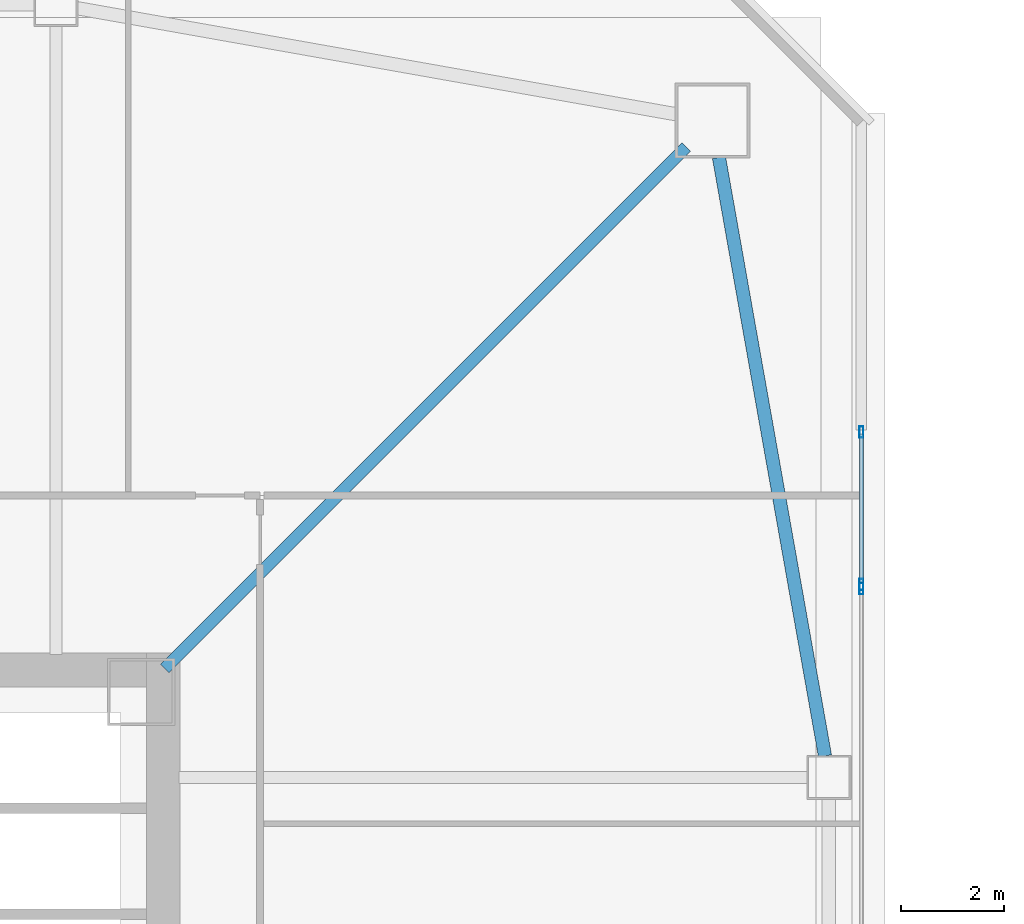
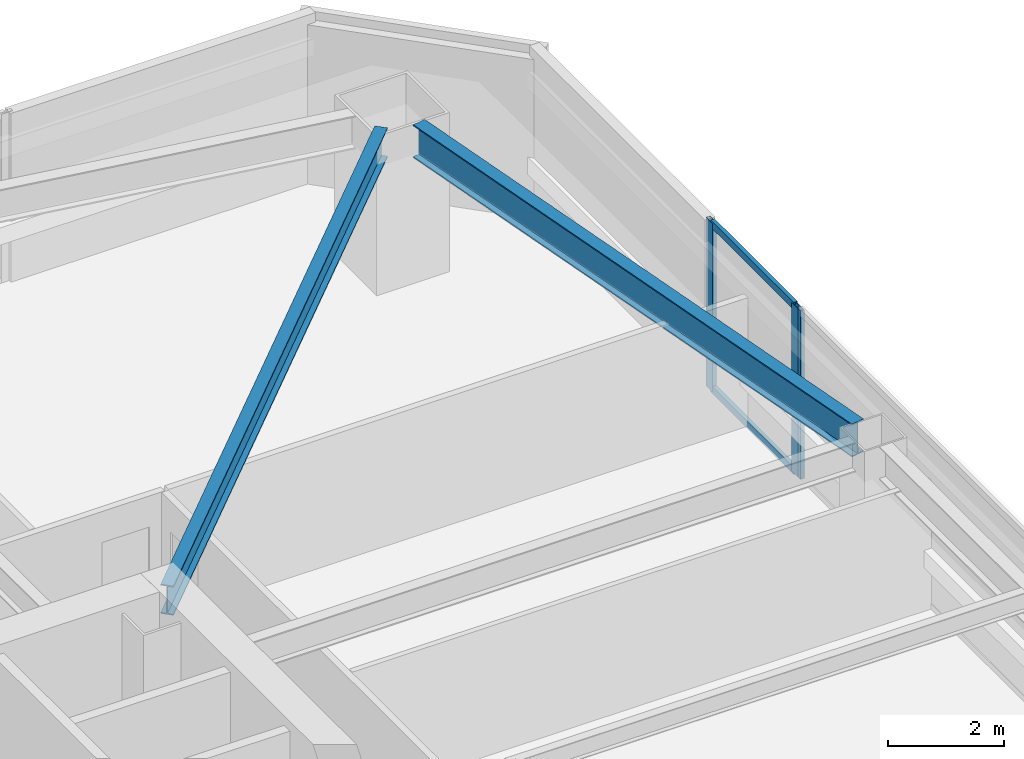
# One storey, part 16 of 44: 5 members, 2 beams, 2 elements without a shape of their own.
"""IFC4 building model written with IfcOpenShell, lengths in metres."""

from ifc_helpers import new_model, si_unit, direction, frame, origin, origin_2d, place, context, subcontext, project, spatial, hollow_rectangle, i_section, extrude, material, material_profile, profile_set, type_object, element, aggregate, save


model = new_model("IFC4")

# Units and contexts
model_context = context("Model", 3, precision=1e-05, world=origin(), true_north=direction((0.0, 1.0)))
body_context = subcontext(model_context, "Body", "Model", "MODEL_VIEW")
ifc_project = project(units=[si_unit("LENGTHUNIT", "METRE"), si_unit("AREAUNIT", "SQUARE_METRE"), si_unit("VOLUMEUNIT", "CUBIC_METRE"), si_unit("PLANEANGLEUNIT", "RADIAN"), si_unit("MASSUNIT", "GRAM", prefix="KILO")], contexts=[model_context])

# Site, building, storey
site_placement = place(None, origin())
site = spatial("IfcSite", under=ifc_project, at=site_placement, CompositionType="ELEMENT")
building_placement = place(site_placement, origin())
building = spatial("IfcBuilding", under=site, at=building_placement, Name="Tashvorn Skyway Center", CompositionType="ELEMENT")
storey_placement = place(building_placement, frame((0.0, 0.0, 74.300048828125)))
storey = spatial("IfcBuildingStorey", under=building, at=storey_placement, Name="L19", CompositionType="ELEMENT", Elevation=74.300048828125)

# Beams
ifc_material_1 = material(Name="Steel ASTM A992 Grade 50", Category="steel")
ifc_material_profile_1 = material_profile(ifc_material_1, i_section(OverallWidth=0.22998046875, OverallDepth=0.616943359375, WebThickness=0.01318359375, FlangeThickness=0.022216796875, at=origin_2d()), Name="W24X94")
ifc_profile_set_1 = profile_set([ifc_material_profile_1], Name="Steel ASTM A992 Grade 50")
beam_type_1 = type_object("IfcBeamType", Name="BM-BEAM-W24X94", PredefinedType="BEAM", material=ifc_profile_set_1)
beam_1_placement = place(storey_placement, frame((59.5908203125, 49.5908203125, 3.04150390625), z_axis=(-0.707106781187, -0.707106781187, 0.0), x_axis=(0.707106781187, -0.707106781187, 0.0)))
element("IfcBeam", 1, at=beam_1_placement, inside=storey, type_object=beam_type_1, Name="Tower 1 L19 Primary Floor Girder MC-NE", PredefinedType="BEAM", context=body_context, shape_type="SweptSolid", body=[
    extrude(i_section(OverallWidth=0.22998046875, OverallDepth=0.616943359375, WebThickness=0.01318359375, FlangeThickness=0.022216796875, at=origin_2d()), origin(), (0.0, 0.0, 1.0), 14.261962890625),
])
ifc_material_profile_2 = material_profile(ifc_material_1, i_section(OverallWidth=0.256103515625, OverallDepth=0.693115234375, WebThickness=0.014404296875, FlangeThickness=0.023681640625, at=origin_2d()), Name="W27X114")
ifc_profile_set_2 = profile_set([ifc_material_profile_2], Name="Steel ASTM A992 Grade 50")
beam_type_2 = type_object("IfcBeamType", Name="BM-SPANDREL-W27X114", PredefinedType="SPANDREL", material=ifc_profile_set_2)
beam_2_placement = place(storey_placement, frame((62.276611328125, 37.8134765625, 3.00341796875), z_axis=(-0.174437966698, 0.98466816531, 0.0), x_axis=(-0.98466816531, -0.174437966698, 0.0)))
element("IfcBeam", 2, at=beam_2_placement, inside=storey, type_object=beam_type_2, Name="Tower 1 L19 Spandrel Beam 06", PredefinedType="SPANDREL", context=body_context, shape_type="SweptSolid", body=[
    extrude(i_section(OverallWidth=0.256103515625, OverallDepth=0.693115234375, WebThickness=0.014404296875, FlangeThickness=0.023681640625, at=origin_2d()), origin(), (0.0, 0.0, 1.0), 11.7578125),
])

# Curtain wall, members
ifc_material_2 = material(Name="Thermally broken bronze-anodized aluminium 6063-T6", Category="aluminium")
curtain_wall_type = type_object("IfcCurtainWallType", Name="CW-CW-Z2", PredefinedType="NOTDEFINED", material=ifc_material_2)
curtain_wall_1_placement = place(storey_placement, origin())
curtain_wall_1 = element("IfcCurtainWall", 3, at=curtain_wall_1_placement, inside=storey, type_object=curtain_wall_type, Name="Tower 1 L19 East Unitised Curtain Wall Glazing Group 1", PredefinedType="NOTDEFINED")
ifc_material_profile_3 = material_profile(ifc_material_2, hollow_rectangle(XDim=0.080078125, YDim=0.219970703125, WallThickness=0.0048828125, at=origin_2d()), Name="ALU-MULL-80x220")
ifc_profile_set_3 = profile_set([ifc_material_profile_3], Name="Thermally broken bronze-anodized aluminium 6063-T6")
member_type_1 = type_object("IfcMemberType", Name="CWM-CW-Z2", PredefinedType="MULLION", material=ifc_profile_set_3)
member_1_placement = place(storey_placement, frame((62.97998046875, 44.080078125, 0.0), z_axis=(0.0, 0.0, 1.0), x_axis=(1.0, 0.0, 0.0)))
member_1 = element("IfcMember", 4, at=member_1_placement, type_object=member_type_1, Name="CW-Z2 mullion 1", PredefinedType="MULLION", context=body_context, shape_type="SweptSolid", body=[
    extrude(hollow_rectangle(XDim=0.080078125, YDim=0.219970703125, WallThickness=0.0048828125, at=origin_2d()), origin(), (0.0, 0.0, 1.0), 3.550048828125),
])
member_2_placement = place(storey_placement, frame((62.97998046875, 41.1298828125, 0.0), z_axis=(0.0, 0.0, 1.0), x_axis=(1.0, 0.0, 0.0)))
member_2 = element("IfcMember", 5, at=member_2_placement, type_object=member_type_1, Name="CW-Z2 mullion 2", PredefinedType="MULLION", context=body_context, shape_type="SweptSolid", body=[
    extrude(hollow_rectangle(XDim=0.080078125, YDim=0.219970703125, WallThickness=0.0048828125, at=origin_2d()), origin(), (0.0, 0.0, 1.0), 3.550048828125),
])

# Curtain wall, member
curtain_wall_2_placement = place(storey_placement, origin())
curtain_wall_2 = element("IfcCurtainWall", 6, at=curtain_wall_2_placement, inside=storey, type_object=curtain_wall_type, Name="Tower 1 L19 East Unitised Curtain Wall Glazing Group 2", PredefinedType="NOTDEFINED")
member_3_placement = place(storey_placement, frame((62.97998046875, 41.050048828125, 0.0), z_axis=(0.0, 0.0, 1.0), x_axis=(1.0, 0.0, 0.0)))
member_3 = element("IfcMember", 7, at=member_3_placement, type_object=member_type_1, Name="CW-Z2 mullion 1", PredefinedType="MULLION", context=body_context, shape_type="SweptSolid", body=[
    extrude(hollow_rectangle(XDim=0.080078125, YDim=0.219970703125, WallThickness=0.0048828125, at=origin_2d()), origin(), (0.0, 0.0, 1.0), 3.550048828125),
])
aggregate(curtain_wall_2, [member_3])

# Member
ifc_material_profile_4 = material_profile(ifc_material_2, hollow_rectangle(XDim=0.080078125, YDim=0.14990234375, WallThickness=0.00439453125, at=origin_2d()), Name="ALU-TRAN-80x150")
ifc_profile_set_4 = profile_set([ifc_material_profile_4], Name="Thermally broken bronze-anodized aluminium 6063-T6")
member_type_2 = type_object("IfcMemberType", Name="CWT-CW-Z2", PredefinedType="USERDEFINED", material=ifc_profile_set_4)
member_4_placement = place(storey_placement, frame((62.97998046875, 44.0400390625, 0.0400390625), z_axis=(0.0, -1.0, 0.0), x_axis=(1.0, 0.0, 0.0)))
member_4 = element("IfcMember", 8, at=member_4_placement, type_object=member_type_2, Name="CW-Z2 transom 1.1", ObjectType="TRANSOM", PredefinedType="USERDEFINED", context=body_context, shape_type="SweptSolid", body=[
    extrude(hollow_rectangle(XDim=0.080078125, YDim=0.14990234375, WallThickness=0.00439453125, at=origin_2d()), origin(), (0.0, 0.0, 1.0), 2.8701171875),
])

member_5_placement = place(storey_placement, frame((62.97998046875, 44.0400390625, 3.510009765625), z_axis=(0.0, -1.0, 0.0), x_axis=(1.0, 0.0, 0.0)))
member_5 = element("IfcMember", 9, at=member_5_placement, type_object=member_type_2, Name="CW-Z2 transom 1.2", ObjectType="TRANSOM", PredefinedType="USERDEFINED", context=body_context, shape_type="SweptSolid", body=[
    extrude(hollow_rectangle(XDim=0.080078125, YDim=0.14990234375, WallThickness=0.00439453125, at=origin_2d()), origin(), (0.0, 0.0, 1.0), 2.8701171875),
])

aggregate(curtain_wall_1, [member_1, member_2, member_4, member_5])

save(model, "model.ifc")
